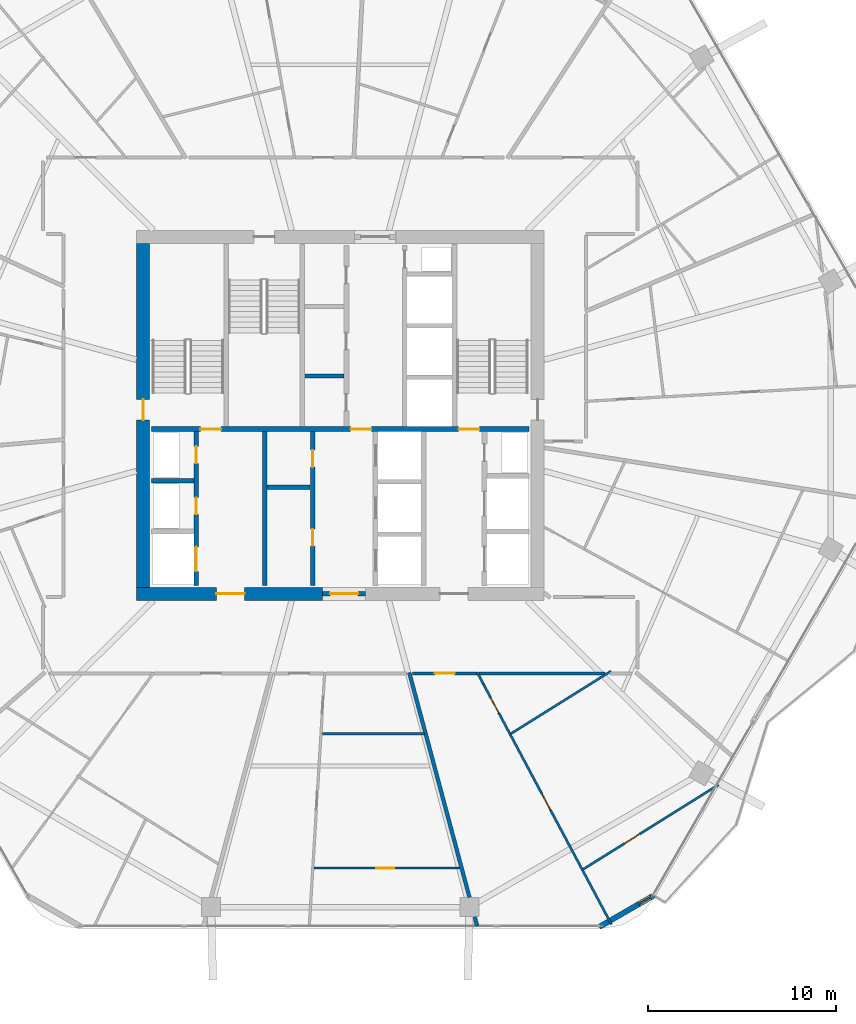
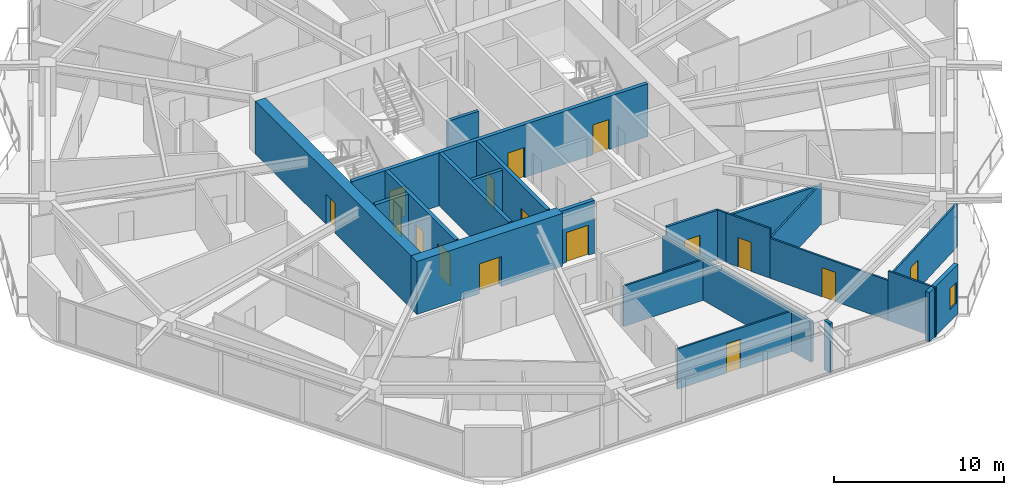
# One storey, part 18 of 26: 23 walls, 16 doors, 1 window, 17 openings.
"""IFC4 building model written with IfcOpenShell, lengths in metres."""

from ifc_helpers import new_model, si_unit, direction, frame, frame_2d, origin, place, context, subcontext, project, spatial, rectangle, extrude, material, layer, layer_set, type_object, element, fill, save


model = new_model("IFC4")

# Units and contexts
model_context = context("Model", 3, precision=1e-05, world=origin(), true_north=direction((0.0, 1.0)))
body_context = subcontext(model_context, "Body", "Model", "MODEL_VIEW")
ifc_project = project(units=[si_unit("LENGTHUNIT", "METRE"), si_unit("AREAUNIT", "SQUARE_METRE"), si_unit("VOLUMEUNIT", "CUBIC_METRE"), si_unit("PLANEANGLEUNIT", "RADIAN"), si_unit("MASSUNIT", "GRAM", prefix="KILO")], contexts=[model_context])

# Site, building, storey
site_placement = place(None, origin())
site = spatial("IfcSite", under=ifc_project, at=site_placement, CompositionType="ELEMENT")
building_placement = place(site_placement, origin())
building = spatial("IfcBuilding", under=site, at=building_placement, Name="Zuhravey Tower", CompositionType="ELEMENT")
storey_placement = place(building_placement, frame((0.0, 0.0, 165.60009765625)))
storey = spatial("IfcBuildingStorey", under=building, at=storey_placement, Name="L41", CompositionType="ELEMENT", Elevation=165.60009765625)

# Wall, opening, door
ifc_material_1 = material(Name="Concrete C60/75", Category="concrete")
ifc_layer_1 = layer(ifc_material_1, 0.699951171875)
ifc_layer_set_1 = layer_set([ifc_layer_1], Name="Concrete C60/75")
wall_type_1 = type_object("IfcWallType", Name="Core Shear Wall 700", PredefinedType="SHEAR", material=ifc_layer_set_1)
wall_1_placement = place(storey_placement, frame((25.14990234375, 22.5, 0.0), z_axis=(0.0, 0.0, 1.0), x_axis=(1.0, 0.0, 0.0)))
wall_1 = element("IfcWall", 1, at=wall_1_placement, inside=storey, type_object=wall_type_1, Name="L41 South-West Core Shear Wall CW70", PredefinedType="SHEAR", context=body_context, shape_type="SweptSolid", body=[
    extrude(rectangle(XDim=9.900146484375, YDim=0.699951171875, at=frame_2d((4.9501953125, 0.0))), origin(), (0.0, 0.0, 1.0), 3.7998046875),
])
opening_1_placement = place(wall_1_placement, frame((4.25, 0.0, 0.0)))
opening_1 = element("IfcOpeningElement", 2, at=opening_1_placement, cuts=wall_1, Name="Opening FFD1", PredefinedType="OPENING", context=body_context, shape_type="SweptSolid", body=[
    extrude(rectangle(XDim=1.5, YDim=2.14990234375, at=frame_2d((0.75, 1.074951171875))), frame((0.0, 0.362060546875, 0.0), z_axis=(0.0, -1.0, 0.0), x_axis=(1.0, 0.0, 0.0)), (0.0, 0.0, 1.0), 0.723876953125),
])
ifc_material_2 = material(Name="Galvanised fire-rated steel leaf", Category="steel")
door_type_1 = type_object("IfcDoorType", Name="Firefighting Lobby Double Door 1500x2150", OperationType="DOUBLE_DOOR_SINGLE_SWING", PredefinedType="DOOR", material=ifc_material_2)
door_1_placement = place(opening_1_placement, origin())
door_1 = element("IfcDoor", 3, at=door_1_placement, inside=storey, type_object=door_type_1, Name="L41 Firefighting Lobby West Door", OperationType="DOUBLE_DOOR_SINGLE_SWING", OverallHeight=2.14990234375, OverallWidth=1.5, PredefinedType="DOOR", context=body_context, shape_type="SweptSolid", body=[
    extrude(rectangle(XDim=1.5, YDim=2.14990234375, at=frame_2d((0.75, 1.074951171875))), frame((0.0, 0.02490234375, 0.0), z_axis=(0.0, -1.0, 0.0), x_axis=(1.0, 0.0, 0.0)), (0.0, 0.0, 1.0), 0.050048828125),
])
fill(opening_1, door_1)

wall_2_placement = place(storey_placement, frame((25.5, 22.85009765625, 0.0), z_axis=(0.0, 0.0, 1.0), x_axis=(0.0, 1.0, 0.0)))
wall_2 = element("IfcWall", 4, at=wall_2_placement, inside=storey, type_object=wall_type_1, Name="L41 West Core Shear Wall CW70", PredefinedType="SHEAR", context=body_context, shape_type="SweptSolid", body=[
    extrude(rectangle(XDim=18.2998046875, YDim=0.699951171875, at=frame_2d((9.14990234375, 0.0))), origin(), (0.0, 0.0, 1.0), 3.7998046875),
])
opening_2_placement = place(wall_2_placement, frame((8.89990234375, 0.0, 0.0)))
opening_2 = element("IfcOpeningElement", 5, at=opening_2_placement, cuts=wall_2, Name="Opening STD1", PredefinedType="OPENING", context=body_context, shape_type="SweptSolid", body=[
    extrude(rectangle(XDim=1.10009765625, YDim=2.14990234375, at=frame_2d((0.550048828125, 1.074951171875))), frame((0.0, 0.362060546875, 0.0), z_axis=(0.0, -1.0, 0.0), x_axis=(1.0, 0.0, 0.0)), (0.0, 0.0, 1.0), 0.723876953125),
])
door_type_2 = type_object("IfcDoorType", Name="Protected Stair Fire Door 1100x2150", OperationType="NOTDEFINED", PredefinedType="USERDEFINED", material=ifc_material_2)
door_2_placement = place(opening_2_placement, frame((1.10009765625, 0.0, 0.0), z_axis=(0.0, 0.0, 1.0), x_axis=(-1.0, 0.0, 0.0)))
door_2 = element("IfcDoor", 6, at=door_2_placement, inside=storey, type_object=door_type_2, Name="L41 Stair ST1 Door", ObjectType="EXITDOOR", OperationType="SINGLE_SWING_RIGHT", OverallHeight=2.14990234375, OverallWidth=1.10009765625, PredefinedType="USERDEFINED", context=body_context, shape_type="SweptSolid", body=[
    extrude(rectangle(XDim=1.10009765625, YDim=2.14990234375, at=frame_2d((0.550048828125, 1.074951171875))), frame((0.0, 0.02490234375, 0.0), z_axis=(0.0, -1.0, 0.0), x_axis=(1.0, 0.0, 0.0)), (0.0, 0.0, 1.0), 0.050048828125),
])
fill(opening_2, door_2)

ifc_material_3 = material(Name="Gypsum fire-rated stud partition")
ifc_layer_2 = layer(ifc_material_3, 0.159912109375)
ifc_layer_set_2 = layer_set([ifc_layer_2], Name="Gypsum fire-rated stud partition")
wall_type_2 = type_object("IfcWallType", Name="Corridor Fire Partition 160", PredefinedType="PARTITIONING", material=ifc_layer_set_2)
wall_3_placement = place(storey_placement, frame((39.828369140625, 18.27001953125, 0.0), z_axis=(0.0, 0.0, 1.0), x_axis=(1.0, 0.0, 0.0)))
wall_3 = element("IfcWall", 7, at=wall_3_placement, inside=storey, type_object=wall_type_2, Name="L41 IW16 Partition 058", PredefinedType="PARTITIONING", context=body_context, shape_type="SweptSolid", body=[
    extrude(rectangle(XDim=3.461669921875, YDim=0.159912109375, at=frame_2d((1.73095703125, 0.0))), origin(), (0.0, 0.0, 1.0), 3.5498046875),
])
opening_3_placement = place(wall_3_placement, frame((1.205810546875, 0.0, 0.0)))
opening_3 = element("IfcOpeningElement", 8, at=opening_3_placement, cuts=wall_3, Name="Opening APD1", PredefinedType="OPENING", context=body_context, shape_type="SweptSolid", body=[
    extrude(rectangle(XDim=1.050048828125, YDim=2.14990234375, at=frame_2d((0.52490234375, 1.074951171875))), frame((0.0, 0.092041015625, 0.0), z_axis=(0.0, -1.0, 0.0), x_axis=(1.0, 0.0, 0.0)), (0.0, 0.0, 1.0), 0.183837890625),
])
ifc_material_4 = material(Name="Solid-core oak fire-rated leaf")
door_type_3 = type_object("IfcDoorType", Name="Apartment Entrance Fire Door 1050x2150", OperationType="NOTDEFINED", PredefinedType="DOOR", material=ifc_material_4)
door_3_placement = place(opening_3_placement, frame((1.050048828125, 0.0, 0.0), z_axis=(0.0, 0.0, 1.0), x_axis=(-1.0, 0.0, 0.0)))
door_3 = element("IfcDoor", 9, at=door_3_placement, inside=storey, type_object=door_type_3, Name="L41 Door 058.1", OperationType="SINGLE_SWING_LEFT", OverallHeight=2.14990234375, OverallWidth=1.050048828125, PredefinedType="DOOR", context=body_context, shape_type="SweptSolid", body=[
    extrude(rectangle(XDim=1.050048828125, YDim=2.14990234375, at=frame_2d((0.52490234375, 1.074951171875))), frame((0.0, 0.02490234375, 0.0), z_axis=(0.0, -1.0, 0.0), x_axis=(1.0, 0.0, 0.0)), (0.0, 0.0, 1.0), 0.050048828125),
])
fill(opening_3, door_3)

# Wall
wall_4_placement = place(storey_placement, frame((43.3896484375, 18.27001953125, 0.0), z_axis=(0.0, 0.0, 1.0), x_axis=(1.0, 0.0, 0.0)))
element("IfcWall", 10, at=wall_4_placement, inside=storey, type_object=wall_type_2, Name="L41 IW16 Partition 139", PredefinedType="PARTITIONING", context=body_context, shape_type="SweptSolid", body=[
    extrude(rectangle(XDim=6.7001953125, YDim=0.159912109375, at=frame_2d((3.35009765625, 0.0))), origin(), (0.0, 0.0, 1.0), 2.89990234375),
])

# Wall, opening, window
ifc_material_5 = material(Name="Precast concrete C40/50", Category="concrete")
ifc_layer_3 = layer(ifc_material_5, 0.280029296875)
ifc_layer_set_3 = layer_set([ifc_layer_3], Name="Precast concrete C40/50")
wall_type_3 = type_object("IfcWallType", Name="Crown Architectural Wall 280", PredefinedType="SOLIDWALL", material=ifc_layer_set_3)
wall_5_placement = place(storey_placement, frame((52.693115234375, 6.451904296875, 0.0), z_axis=(0.0, 0.0, 1.0), x_axis=(-0.866020068361, -0.500009241111, 0.0)))
wall_5 = element("IfcWall", 11, at=wall_5_placement, inside=storey, type_object=wall_type_3, Name="L41 Rounded Corner Closure Wall EW28-02", PredefinedType="SOLIDWALL", context=body_context, shape_type="SweptSolid", body=[
    extrude(rectangle(XDim=3.365234375, YDim=0.280029296875, at=frame_2d((1.6826171875, 0.0))), origin(), (0.0, 0.0, 1.0), 3.5498046875),
])
opening_4_placement = place(wall_5_placement, frame((0.17919921875, 0.0, 0.85009765625)))
opening_4 = element("IfcOpeningElement", 12, at=opening_4_placement, cuts=wall_5, Name="Opening WN5", PredefinedType="OPENING", context=body_context, shape_type="SweptSolid", body=[
    extrude(rectangle(XDim=0.75, YDim=1.5, at=frame_2d((0.375, 0.75))), frame((0.0, 0.152099609375, 0.0), z_axis=(0.0, -1.0, 0.0), x_axis=(1.0, 0.0, 0.0)), (0.0, 0.0, 1.0), 0.303955078125),
])
ifc_material_6 = material(Name="Thermally broken aluminium and triple low-E glass", Category="aluminium")
window_type = type_object("IfcWindowType", Name="Residential Corner Casement Window 750x1500", PartitioningType="SINGLE_PANEL", PredefinedType="WINDOW", material=ifc_material_6)
window_placement = place(opening_4_placement, origin())
window = element("IfcWindow", 13, at=window_placement, inside=storey, type_object=window_type, Name="L41 Corner Casement Window WN5-02.1", OverallHeight=1.5, OverallWidth=0.75, PartitioningType="SINGLE_PANEL", PredefinedType="WINDOW", context=body_context, shape_type="SweptSolid", body=[
    extrude(rectangle(XDim=0.75, YDim=1.5, at=frame_2d((0.375, 0.75))), frame((0.0, 0.030029296875, 0.0), z_axis=(0.0, -1.0, 0.0), x_axis=(1.0, 0.0, 0.0)), (0.0, 0.0, 1.0), 0.06005859375),
])
fill(opening_4, window)

# Wall, opening, door
ifc_material_7 = material(Name="Concrete C50/60", Category="concrete")
ifc_layer_4 = layer(ifc_material_7, 0.25)
ifc_layer_set_4 = layer_set([ifc_layer_4], Name="Concrete C50/60")
wall_type_4 = type_object("IfcWallType", Name="Firefighting Shaft & Stair Wall 250", PredefinedType="SOLIDWALL", material=ifc_layer_set_4)
wall_6_placement = place(storey_placement, frame((35.06005859375, 22.5, 0.0), z_axis=(0.0, 0.0, 1.0), x_axis=(1.0, 0.0, 0.0)))
wall_6 = element("IfcWall", 14, at=wall_6_placement, inside=storey, type_object=wall_type_4, Name="L41 FW25 Shaft Wall 001", PredefinedType="SOLIDWALL", context=body_context, shape_type="SweptSolid", body=[
    extrude(rectangle(XDim=2.280029296875, YDim=0.25, at=frame_2d((1.14013671875, 0.0))), origin(), (0.0, 0.0, 1.0), 3.7998046875),
])
opening_5_placement = place(wall_6_placement, frame((0.389892578125, 0.0, 0.0)))
opening_5 = element("IfcOpeningElement", 15, at=opening_5_placement, cuts=wall_6, Name="Opening FFD1", PredefinedType="OPENING", context=body_context, shape_type="SweptSolid", body=[
    extrude(rectangle(XDim=1.5, YDim=2.14990234375, at=frame_2d((0.75, 1.074951171875))), frame((0.0, 0.136962890625, 0.0), z_axis=(0.0, -1.0, 0.0), x_axis=(1.0, 0.0, 0.0)), (0.0, 0.0, 1.0), 0.27392578125),
])
door_4_placement = place(opening_5_placement, frame((1.5, 0.0, 0.0), z_axis=(0.0, 0.0, 1.0), x_axis=(-1.0, 0.0, 0.0)))
door_4 = element("IfcDoor", 16, at=door_4_placement, inside=storey, type_object=door_type_1, Name="L41 South Lift Lobby Exit Door", OperationType="DOUBLE_DOOR_SINGLE_SWING", OverallHeight=2.14990234375, OverallWidth=1.5, PredefinedType="DOOR", context=body_context, shape_type="SweptSolid", body=[
    extrude(rectangle(XDim=1.5, YDim=2.14990234375, at=frame_2d((0.75, 1.074951171875))), frame((0.0, 0.02490234375, 0.0), z_axis=(0.0, -1.0, 0.0), x_axis=(1.0, 0.0, 0.0)), (0.0, 0.0, 1.0), 0.050048828125),
])
fill(opening_5, door_4)

# Wall, openings, doors
wall_7_placement = place(storey_placement, frame((25.949951171875, 31.27490234375, 0.0), z_axis=(0.0, 0.0, 1.0), x_axis=(1.0, 0.0, 0.0)))
wall_7 = element("IfcWall", 17, at=wall_7_placement, inside=storey, type_object=wall_type_4, Name="L41 FW25 Shaft Wall 003", PredefinedType="SOLIDWALL", context=body_context, shape_type="SweptSolid", body=[
    extrude(rectangle(XDim=20.10009765625, YDim=0.25, at=frame_2d((10.050048828125, 0.0))), origin(), (0.0, 0.0, 1.0), 3.7998046875),
])
opening_6_placement = place(wall_7_placement, frame((2.60009765625, 0.0, 0.0)))
opening_6 = element("IfcOpeningElement", 18, at=opening_6_placement, cuts=wall_7, Name="Opening STD1", PredefinedType="OPENING", context=body_context, shape_type="SweptSolid", body=[
    extrude(rectangle(XDim=1.10009765625, YDim=2.14990234375, at=frame_2d((0.550048828125, 1.074951171875))), frame((0.0, 0.136962890625, 0.0), z_axis=(0.0, -1.0, 0.0), x_axis=(1.0, 0.0, 0.0)), (0.0, 0.0, 1.0), 0.27392578125),
])
opening_7_placement = place(wall_7_placement, frame((10.60009765625, 0.0, 0.0)))
opening_7 = element("IfcOpeningElement", 19, at=opening_7_placement, cuts=wall_7, Name="Opening STD1", PredefinedType="OPENING", context=body_context, shape_type="SweptSolid", body=[
    extrude(rectangle(XDim=1.10009765625, YDim=2.14990234375, at=frame_2d((0.550048828125, 1.074951171875))), frame((0.0, 0.136962890625, 0.0), z_axis=(0.0, -1.0, 0.0), x_axis=(1.0, 0.0, 0.0)), (0.0, 0.0, 1.0), 0.27392578125),
])
opening_8_placement = place(wall_7_placement, frame((16.35009765625, 0.0, 0.0)))
opening_8 = element("IfcOpeningElement", 20, at=opening_8_placement, cuts=wall_7, Name="Opening STD1", PredefinedType="OPENING", context=body_context, shape_type="SweptSolid", body=[
    extrude(rectangle(XDim=1.10009765625, YDim=2.14990234375, at=frame_2d((0.550048828125, 1.074951171875))), frame((0.0, 0.136962890625, 0.0), z_axis=(0.0, -1.0, 0.0), x_axis=(1.0, 0.0, 0.0)), (0.0, 0.0, 1.0), 0.27392578125),
])
door_5_placement = place(opening_6_placement, origin())
door_5 = element("IfcDoor", 21, at=door_5_placement, inside=storey, type_object=door_type_2, Name="L41 FFL-W to ST1 Door", ObjectType="EXITDOOR", OperationType="SINGLE_SWING_LEFT", OverallHeight=2.14990234375, OverallWidth=1.10009765625, PredefinedType="USERDEFINED", context=body_context, shape_type="SweptSolid", body=[
    extrude(rectangle(XDim=1.10009765625, YDim=2.14990234375, at=frame_2d((0.550048828125, 1.074951171875))), frame((0.0, 0.02490234375, 0.0), z_axis=(0.0, -1.0, 0.0), x_axis=(1.0, 0.0, 0.0)), (0.0, 0.0, 1.0), 0.050048828125),
])
fill(opening_6, door_5)
door_6_placement = place(opening_7_placement, origin())
door_6 = element("IfcDoor", 22, at=door_6_placement, inside=storey, type_object=door_type_2, Name="L41 Core Lobby Link Door", ObjectType="EXITDOOR", OperationType="SINGLE_SWING_RIGHT", OverallHeight=2.14990234375, OverallWidth=1.10009765625, PredefinedType="USERDEFINED", context=body_context, shape_type="SweptSolid", body=[
    extrude(rectangle(XDim=1.10009765625, YDim=2.14990234375, at=frame_2d((0.550048828125, 1.074951171875))), frame((0.0, 0.02490234375, 0.0), z_axis=(0.0, -1.0, 0.0), x_axis=(1.0, 0.0, 0.0)), (0.0, 0.0, 1.0), 0.050048828125),
])
fill(opening_7, door_6)
door_7_placement = place(opening_8_placement, origin())
door_7 = element("IfcDoor", 23, at=door_7_placement, inside=storey, type_object=door_type_2, Name="L41 FFL-E to ST2 Door", ObjectType="EXITDOOR", OperationType="SINGLE_SWING_LEFT", OverallHeight=2.14990234375, OverallWidth=1.10009765625, PredefinedType="USERDEFINED", context=body_context, shape_type="SweptSolid", body=[
    extrude(rectangle(XDim=1.10009765625, YDim=2.14990234375, at=frame_2d((0.550048828125, 1.074951171875))), frame((0.0, 0.02490234375, 0.0), z_axis=(0.0, -1.0, 0.0), x_axis=(1.0, 0.0, 0.0)), (0.0, 0.0, 1.0), 0.050048828125),
])
fill(opening_8, door_7)

# Wall
wall_8_placement = place(storey_placement, frame((25.949951171875, 28.52490234375, 0.0), z_axis=(0.0, 0.0, 1.0), x_axis=(1.0, 0.0, 0.0)))
element("IfcWall", 24, at=wall_8_placement, inside=storey, type_object=wall_type_4, Name="L41 FW25 Shaft Wall 010", PredefinedType="SOLIDWALL", context=body_context, shape_type="SweptSolid", body=[
    extrude(rectangle(XDim=2.25, YDim=0.25, at=frame_2d((1.125, 0.0))), origin(), (0.0, 0.0, 1.0), 3.7998046875),
])

# Wall, openings, doors
wall_9_placement = place(storey_placement, frame((28.324951171875, 22.949951171875, 0.0), z_axis=(0.0, 0.0, 1.0), x_axis=(0.0, 1.0, 0.0)))
wall_9 = element("IfcWall", 25, at=wall_9_placement, inside=storey, type_object=wall_type_4, Name="L41 FW25 Shaft Wall 011", PredefinedType="SOLIDWALL", context=body_context, shape_type="SweptSolid", body=[
    extrude(rectangle(XDim=8.199951171875, YDim=0.25, at=frame_2d((4.10009765625, 0.0))), origin(), (0.0, 0.0, 1.0), 3.7998046875),
])
opening_9_placement = place(wall_9_placement, frame((0.75, 0.0, 0.0)))
opening_9 = element("IfcOpeningElement", 26, at=opening_9_placement, cuts=wall_9, Name="Opening LD2", PredefinedType="OPENING", context=body_context, shape_type="SweptSolid", body=[
    extrude(rectangle(XDim=1.300048828125, YDim=2.300048828125, at=frame_2d((0.64990234375, 1.14990234375))), frame((0.0, 0.136962890625, 0.0), z_axis=(0.0, -1.0, 0.0), x_axis=(1.0, 0.0, 0.0)), (0.0, 0.0, 1.0), 0.27392578125),
])
opening_10_placement = place(wall_9_placement, frame((3.780029296875, 0.0, 0.0)))
opening_10 = element("IfcOpeningElement", 27, at=opening_10_placement, cuts=wall_9, Name="Opening RSD1", PredefinedType="OPENING", context=body_context, shape_type="SweptSolid", body=[
    extrude(rectangle(XDim=0.89990234375, YDim=2.10009765625, at=frame_2d((0.449951171875, 1.050048828125))), frame((0.0, 0.136962890625, 0.0), z_axis=(0.0, -1.0, 0.0), x_axis=(1.0, 0.0, 0.0)), (0.0, 0.0, 1.0), 0.27392578125),
])
opening_11_placement = place(wall_9_placement, frame((6.5, 0.0, 0.0)))
opening_11 = element("IfcOpeningElement", 28, at=opening_11_placement, cuts=wall_9, Name="Opening RSD1", PredefinedType="OPENING", context=body_context, shape_type="SweptSolid", body=[
    extrude(rectangle(XDim=0.89990234375, YDim=2.10009765625, at=frame_2d((0.449951171875, 1.050048828125))), frame((0.0, 0.136962890625, 0.0), z_axis=(0.0, -1.0, 0.0), x_axis=(1.0, 0.0, 0.0)), (0.0, 0.0, 1.0), 0.27392578125),
])
ifc_material_8 = material(Name="Brushed stainless steel", Category="steel")
door_type_4 = type_object("IfcDoorType", Name="Freight & Stretcher Lift Sliding Door 1300x2300", OperationType="DOUBLE_DOOR_SLIDING", PredefinedType="DOOR", material=ifc_material_8)
door_8_placement = place(opening_9_placement, frame((1.300048828125, 0.0, 0.0), z_axis=(0.0, 0.0, 1.0), x_axis=(-1.0, 0.0, 0.0)))
door_8 = element("IfcDoor", 29, at=door_8_placement, inside=storey, type_object=door_type_4, Name="L41 Lift FF1 Landing Door", OperationType="DOUBLE_DOOR_SLIDING", OverallHeight=2.300048828125, OverallWidth=1.300048828125, PredefinedType="DOOR", context=body_context, shape_type="SweptSolid", body=[
    extrude(rectangle(XDim=1.300048828125, YDim=2.300048828125, at=frame_2d((0.64990234375, 1.14990234375))), frame((0.0, 0.02490234375, 0.0), z_axis=(0.0, -1.0, 0.0), x_axis=(1.0, 0.0, 0.0)), (0.0, 0.0, 1.0), 0.050048828125),
])
fill(opening_9, door_8)
ifc_material_9 = material(Name="Galvanised fire-rated steel access leaf", Category="steel")
door_type_5 = type_object("IfcDoorType", Name="Riser & Shaft Access Fire Door 900x2100", OperationType="NOTDEFINED", PredefinedType="DOOR", material=ifc_material_9)
door_9_placement = place(opening_10_placement, frame((0.89990234375, 0.0, 0.0), z_axis=(0.0, 0.0, 1.0), x_axis=(-1.0, 0.0, 0.0)))
door_9 = element("IfcDoor", 30, at=door_9_placement, inside=storey, type_object=door_type_5, Name="L41 Electrical Riser Door", OperationType="SINGLE_SWING_RIGHT", OverallHeight=2.10009765625, OverallWidth=0.89990234375, PredefinedType="DOOR", context=body_context, shape_type="SweptSolid", body=[
    extrude(rectangle(XDim=0.89990234375, YDim=2.10009765625, at=frame_2d((0.449951171875, 1.050048828125))), frame((0.0, 0.02490234375, 0.0), z_axis=(0.0, -1.0, 0.0), x_axis=(1.0, 0.0, 0.0)), (0.0, 0.0, 1.0), 0.050048828125),
])
fill(opening_10, door_9)
door_10_placement = place(opening_11_placement, frame((0.89990234375, 0.0, 0.0), z_axis=(0.0, 0.0, 1.0), x_axis=(-1.0, 0.0, 0.0)))
door_10 = element("IfcDoor", 31, at=door_10_placement, inside=storey, type_object=door_type_5, Name="L41 Smoke Shaft Access Door", OperationType="SINGLE_SWING_LEFT", OverallHeight=2.10009765625, OverallWidth=0.89990234375, PredefinedType="DOOR", context=body_context, shape_type="SweptSolid", body=[
    extrude(rectangle(XDim=0.89990234375, YDim=2.10009765625, at=frame_2d((0.449951171875, 1.050048828125))), frame((0.0, 0.02490234375, 0.0), z_axis=(0.0, -1.0, 0.0), x_axis=(1.0, 0.0, 0.0)), (0.0, 0.0, 1.0), 0.050048828125),
])
fill(opening_11, door_10)

# Wall
wall_10_placement = place(storey_placement, frame((31.97509765625, 22.949951171875, 0.0), z_axis=(0.0, 0.0, 1.0), x_axis=(0.0, 1.0, 0.0)))
element("IfcWall", 32, at=wall_10_placement, inside=storey, type_object=wall_type_4, Name="L41 FW25 Shaft Wall 012", PredefinedType="SOLIDWALL", context=body_context, shape_type="SweptSolid", body=[
    extrude(rectangle(XDim=8.199951171875, YDim=0.25, at=frame_2d((4.10009765625, 0.0))), origin(), (0.0, 0.0, 1.0), 3.7998046875),
])

# Wall, openings, doors
wall_11_placement = place(storey_placement, frame((34.52490234375, 22.949951171875, 0.0), z_axis=(0.0, 0.0, 1.0), x_axis=(0.0, 1.0, 0.0)))
wall_11 = element("IfcWall", 33, at=wall_11_placement, inside=storey, type_object=wall_type_4, Name="L41 FW25 Shaft Wall 013", PredefinedType="SOLIDWALL", context=body_context, shape_type="SweptSolid", body=[
    extrude(rectangle(XDim=8.199951171875, YDim=0.25, at=frame_2d((4.10009765625, 0.0))), origin(), (0.0, 0.0, 1.0), 3.7998046875),
])
opening_12_placement = place(wall_11_placement, frame((2.10009765625, 0.0, 0.0)))
opening_12 = element("IfcOpeningElement", 34, at=opening_12_placement, cuts=wall_11, Name="Opening RSD1", PredefinedType="OPENING", context=body_context, shape_type="SweptSolid", body=[
    extrude(rectangle(XDim=0.89990234375, YDim=2.10009765625, at=frame_2d((0.449951171875, 1.050048828125))), frame((0.0, 0.136962890625, 0.0), z_axis=(0.0, -1.0, 0.0), x_axis=(1.0, 0.0, 0.0)), (0.0, 0.0, 1.0), 0.27392578125),
])
opening_13_placement = place(wall_11_placement, frame((6.300048828125, 0.0, 0.0)))
opening_13 = element("IfcOpeningElement", 35, at=opening_13_placement, cuts=wall_11, Name="Opening RSD1", PredefinedType="OPENING", context=body_context, shape_type="SweptSolid", body=[
    extrude(rectangle(XDim=0.89990234375, YDim=2.10009765625, at=frame_2d((0.449951171875, 1.050048828125))), frame((0.0, 0.136962890625, 0.0), z_axis=(0.0, -1.0, 0.0), x_axis=(1.0, 0.0, 0.0)), (0.0, 0.0, 1.0), 0.27392578125),
])
door_11_placement = place(opening_12_placement, origin())
door_11 = element("IfcDoor", 36, at=door_11_placement, inside=storey, type_object=door_type_5, Name="L41 Housekeeping Store Door", OperationType="SINGLE_SWING_RIGHT", OverallHeight=2.10009765625, OverallWidth=0.89990234375, PredefinedType="DOOR", context=body_context, shape_type="SweptSolid", body=[
    extrude(rectangle(XDim=0.89990234375, YDim=2.10009765625, at=frame_2d((0.449951171875, 1.050048828125))), frame((0.0, 0.02490234375, 0.0), z_axis=(0.0, -1.0, 0.0), x_axis=(1.0, 0.0, 0.0)), (0.0, 0.0, 1.0), 0.050048828125),
])
fill(opening_12, door_11)
door_12_placement = place(opening_13_placement, origin())
door_12 = element("IfcDoor", 37, at=door_12_placement, inside=storey, type_object=door_type_5, Name="L41 Comms Closet Door", OperationType="SINGLE_SWING_LEFT", OverallHeight=2.10009765625, OverallWidth=0.89990234375, PredefinedType="DOOR", context=body_context, shape_type="SweptSolid", body=[
    extrude(rectangle(XDim=0.89990234375, YDim=2.10009765625, at=frame_2d((0.449951171875, 1.050048828125))), frame((0.0, 0.02490234375, 0.0), z_axis=(0.0, -1.0, 0.0), x_axis=(1.0, 0.0, 0.0)), (0.0, 0.0, 1.0), 0.050048828125),
])
fill(opening_13, door_12)

# Walls
ifc_material_10 = material(Name="Gypsum double-stud party assembly")
ifc_layer_5 = layer(ifc_material_10, 0.199951171875)
ifc_layer_set_5 = layer_set([ifc_layer_5], Name="Gypsum double-stud party assembly")
wall_type_5 = type_object("IfcWallType", Name="Inter-Tenancy Party Wall 200", PredefinedType="PARTITIONING", material=ifc_layer_set_5)
wall_12_placement = place(storey_placement, frame((39.668212890625, 18.31005859375, 0.0), z_axis=(0.0, 0.0, 1.0), x_axis=(0.258823121138, -0.96592473411, 0.0)))
element("IfcWall", 38, at=wall_12_placement, inside=storey, type_object=wall_type_5, Name="L41 IW20 Partition 109", PredefinedType="PARTITIONING", context=body_context, shape_type="SweptSolid", body=[
    extrude(rectangle(XDim=12.38525390625, YDim=0.199951171875, at=frame_2d((6.192626953125, 0.0))), origin(), (0.0, 0.0, 1.0), 2.89990234375),
])
wall_13_placement = place(storey_placement, frame((43.15234375, 5.306884765625, 0.0), z_axis=(0.0, 0.0, 1.0), x_axis=(0.258920510492, -0.965898633008, 0.0)))
element("IfcWall", 39, at=wall_13_placement, inside=storey, type_object=wall_type_5, Name="L41 IW20 Partition 110", PredefinedType="PARTITIONING", context=body_context, shape_type="SweptSolid", body=[
    extrude(rectangle(XDim=0.50732421875, YDim=0.199951171875, at=frame_2d((0.253662109375, 0.0))), origin(), (0.0, 0.0, 1.0), 3.5498046875),
])
ifc_material_11 = material(Name="Gypsum acoustic stud assembly")
ifc_layer_6 = layer(ifc_material_11, 0.219970703125)
ifc_layer_set_6 = layer_set([ifc_layer_6], Name="Gypsum acoustic stud assembly")
wall_type_6 = type_object("IfcWallType", Name="School Acoustic Compartment Wall 220", PredefinedType="PARTITIONING", material=ifc_layer_set_6)
wall_14_placement = place(storey_placement, frame((34.10791015625, 34.10009765625, 0.0), z_axis=(0.0, 0.0, 1.0), x_axis=(1.0, 0.0, 0.0)))
element("IfcWall", 40, at=wall_14_placement, inside=storey, type_object=wall_type_6, Name="L41 IW22 Partition 067", PredefinedType="PARTITIONING", context=body_context, shape_type="SweptSolid", body=[
    extrude(rectangle(XDim=2.083984375, YDim=0.219970703125, at=frame_2d((1.0419921875, 0.0))), origin(), (0.0, 0.0, 1.0), 3.5498046875),
])
wall_15_placement = place(storey_placement, frame((32.10791015625, 28.175048828125, 0.0), z_axis=(0.0, 0.0, 1.0), x_axis=(1.0, 0.0, 0.0)))
element("IfcWall", 41, at=wall_15_placement, inside=storey, type_object=wall_type_6, Name="L41 IW22 Partition 072", PredefinedType="PARTITIONING", context=body_context, shape_type="SweptSolid", body=[
    extrude(rectangle(XDim=2.2841796875, YDim=0.219970703125, at=frame_2d((1.14208984375, 0.0))), origin(), (0.0, 0.0, 1.0), 3.5498046875),
])

# Wall, opening, door
ifc_material_12 = material(Name="Gypsum metal-stud partition")
ifc_layer_7 = layer(ifc_material_12, 0.1201171875)
ifc_layer_set_7 = layer_set([ifc_layer_7], Name="Gypsum metal-stud partition")
wall_type_7 = type_object("IfcWallType", Name="Unit Internal Partition 120", PredefinedType="PARTITIONING", material=ifc_layer_set_7)
wall_16_placement = place(storey_placement, frame((34.602783203125, 7.904296875, 0.0), z_axis=(0.0, 0.0, 1.0), x_axis=(1.0, 0.0, 0.0)))
wall_16 = element("IfcWall", 42, at=wall_16_placement, inside=storey, type_object=wall_type_7, Name="L41 IW12 Partition 053", PredefinedType="PARTITIONING", context=body_context, shape_type="SweptSolid", body=[
    extrude(rectangle(XDim=7.732177734375, YDim=0.1201171875, at=frame_2d((3.8662109375, 0.0))), origin(), (0.0, 0.0, 1.0), 2.89990234375),
])
opening_14_placement = place(wall_16_placement, frame((3.306884765625, 0.0, 0.0)))
opening_14 = element("IfcOpeningElement", 43, at=opening_14_placement, cuts=wall_16, Name="Opening IND1", PredefinedType="OPENING", context=body_context, shape_type="SweptSolid", body=[
    extrude(rectangle(XDim=0.949951171875, YDim=2.10009765625, at=frame_2d((0.47509765625, 1.050048828125))), frame((0.0, 0.072021484375, 0.0), z_axis=(0.0, -1.0, 0.0), x_axis=(1.0, 0.0, 0.0)), (0.0, 0.0, 1.0), 0.14404296875),
])
ifc_material_13 = material(Name="Painted engineered timber leaf", Category="wood")
door_type_6 = type_object("IfcDoorType", Name="Internal Room & Bedroom Door 950x2100", OperationType="NOTDEFINED", PredefinedType="DOOR", material=ifc_material_13)
door_13_placement = place(opening_14_placement, frame((0.949951171875, 0.0, 0.0), z_axis=(0.0, 0.0, 1.0), x_axis=(-1.0, 0.0, 0.0)))
door_13 = element("IfcDoor", 44, at=door_13_placement, inside=storey, type_object=door_type_6, Name="Apartment L41-08 Kitchen Door", OperationType="SINGLE_SWING_RIGHT", OverallHeight=2.10009765625, OverallWidth=0.949951171875, PredefinedType="DOOR", context=body_context, shape_type="SweptSolid", body=[
    extrude(rectangle(XDim=0.949951171875, YDim=2.10009765625, at=frame_2d((0.47509765625, 1.050048828125))), frame((0.0, 0.02490234375, 0.0), z_axis=(0.0, -1.0, 0.0), x_axis=(1.0, 0.0, 0.0)), (0.0, 0.0, 1.0), 0.050048828125),
])
fill(opening_14, door_13)

wall_17_placement = place(storey_placement, frame((43.6162109375, 17.699951171875, 0.0), z_axis=(0.0, 0.0, 1.0), x_axis=(0.470139063633, -0.882592352588, 0.0)))
wall_17 = element("IfcWall", 45, at=wall_17_placement, inside=storey, type_object=wall_type_7, Name="L41 IW12 Partition 055", PredefinedType="PARTITIONING", context=body_context, shape_type="SweptSolid", body=[
    extrude(rectangle(XDim=3.047119140625, YDim=0.1201171875, at=frame_2d((1.5234375, 0.0))), origin(), (0.0, 0.0, 1.0), 3.5498046875),
])
opening_15_placement = place(wall_17_placement, frame((0.829833984375, 0.0, 0.0)))
opening_15 = element("IfcOpeningElement", 46, at=opening_15_placement, cuts=wall_17, Name="Opening WCD1", PredefinedType="OPENING", context=body_context, shape_type="SweptSolid", body=[
    extrude(rectangle(XDim=0.89990234375, YDim=2.10009765625, at=frame_2d((0.449951171875, 1.050048828125))), frame((0.0, 0.072021484375, 0.0), z_axis=(0.0, -1.0, 0.0), x_axis=(1.0, 0.0, 0.0)), (0.0, 0.0, 1.0), 0.14404296875),
])
ifc_material_14 = material(Name="Moisture-resistant timber leaf", Category="wood")
door_type_7 = type_object("IfcDoorType", Name="Bathroom & WC Internal Door 900x2100", OperationType="NOTDEFINED", PredefinedType="DOOR", material=ifc_material_14)
door_14_placement = place(opening_15_placement, origin())
door_14 = element("IfcDoor", 47, at=door_14_placement, inside=storey, type_object=door_type_7, Name="Apartment L41-09 Bathroom Door", OperationType="SINGLE_SWING_RIGHT", OverallHeight=2.10009765625, OverallWidth=0.89990234375, PredefinedType="DOOR", context=body_context, shape_type="SweptSolid", body=[
    extrude(rectangle(XDim=0.89990234375, YDim=2.10009765625, at=frame_2d((0.449951171875, 1.050048828125))), frame((0.0, 0.02490234375, 0.0), z_axis=(0.0, -1.0, 0.0), x_axis=(1.0, 0.0, 0.0)), (0.0, 0.0, 1.0), 0.050048828125),
])
fill(opening_15, door_14)

wall_18_placement = place(storey_placement, frame((45.048828125, 15.010498046875, 0.0), z_axis=(0.0, 0.0, 1.0), x_axis=(0.470090976648, -0.882617965869, 0.0)))
wall_18 = element("IfcWall", 48, at=wall_18_placement, inside=storey, type_object=wall_type_7, Name="L41 IW12 Partition 056", PredefinedType="PARTITIONING", context=body_context, shape_type="SweptSolid", body=[
    extrude(rectangle(XDim=8.181396484375, YDim=0.1201171875, at=frame_2d((4.0908203125, 0.0))), origin(), (0.0, 0.0, 1.0), 2.869873046875),
])
opening_16_placement = place(wall_18_placement, frame((3.590576171875, 0.0, 0.0)))
opening_16 = element("IfcOpeningElement", 49, at=opening_16_placement, cuts=wall_18, Name="Opening IND1", PredefinedType="OPENING", context=body_context, shape_type="SweptSolid", body=[
    extrude(rectangle(XDim=0.949951171875, YDim=2.10009765625, at=frame_2d((0.47509765625, 1.050048828125))), frame((0.0, 0.072021484375, 0.0), z_axis=(0.0, -1.0, 0.0), x_axis=(1.0, 0.0, 0.0)), (0.0, 0.0, 1.0), 0.14404296875),
])
door_15_placement = place(opening_16_placement, origin())
door_15 = element("IfcDoor", 50, at=door_15_placement, inside=storey, type_object=door_type_6, Name="Apartment L41-09 Home Office Door", OperationType="SINGLE_SWING_LEFT", OverallHeight=2.10009765625, OverallWidth=0.949951171875, PredefinedType="DOOR", context=body_context, shape_type="SweptSolid", body=[
    extrude(rectangle(XDim=0.949951171875, YDim=2.10009765625, at=frame_2d((0.47509765625, 1.050048828125))), frame((0.0, 0.02490234375, 0.0), z_axis=(0.0, -1.0, 0.0), x_axis=(1.0, 0.0, 0.0)), (0.0, 0.0, 1.0), 0.050048828125),
])
fill(opening_16, door_15)

wall_19_placement = place(storey_placement, frame((48.94091796875, 7.84765625, 0.0), z_axis=(0.0, 0.0, 1.0), x_axis=(0.848033897141, 0.529941986731, 0.0)))
wall_19 = element("IfcWall", 51, at=wall_19_placement, inside=storey, type_object=wall_type_7, Name="L41 IW12 Partition 057", PredefinedType="PARTITIONING", context=body_context, shape_type="SweptSolid", body=[
    extrude(rectangle(XDim=8.477294921875, YDim=0.1201171875, at=frame_2d((4.23876953125, 0.0))), origin(), (0.0, 0.0, 1.0), 3.121826171875),
])
opening_17_placement = place(wall_19_placement, frame((2.579345703125, 0.0, 0.0)))
opening_17 = element("IfcOpeningElement", 52, at=opening_17_placement, cuts=wall_19, Name="Opening IND1", PredefinedType="OPENING", context=body_context, shape_type="SweptSolid", body=[
    extrude(rectangle(XDim=0.949951171875, YDim=2.10009765625, at=frame_2d((0.47509765625, 1.050048828125))), frame((0.0, 0.072021484375, 0.0), z_axis=(0.0, -1.0, 0.0), x_axis=(1.0, 0.0, 0.0)), (0.0, 0.0, 1.0), 0.14404296875),
])
door_16_placement = place(opening_17_placement, frame((0.949951171875, 0.0, 0.0), z_axis=(0.0, 0.0, 1.0), x_axis=(-1.0, 0.0, 0.0)))
door_16 = element("IfcDoor", 53, at=door_16_placement, inside=storey, type_object=door_type_6, Name="Apartment L41-09 Bedroom 1 Door", OperationType="SINGLE_SWING_RIGHT", OverallHeight=2.10009765625, OverallWidth=0.949951171875, PredefinedType="DOOR", context=body_context, shape_type="SweptSolid", body=[
    extrude(rectangle(XDim=0.949951171875, YDim=2.10009765625, at=frame_2d((0.47509765625, 1.050048828125))), frame((0.0, 0.02490234375, 0.0), z_axis=(0.0, -1.0, 0.0), x_axis=(1.0, 0.0, 0.0)), (0.0, 0.0, 1.0), 0.050048828125),
])
fill(opening_17, door_16)

# Walls
wall_20_placement = place(storey_placement, frame((35.0380859375, 15.061279296875, 0.0), z_axis=(0.0, 0.0, 1.0), x_axis=(1.0, 0.0, 0.0)))
element("IfcWall", 54, at=wall_20_placement, inside=storey, type_object=wall_type_7, Name="L41 IW12 Partition 108", PredefinedType="PARTITIONING", context=body_context, shape_type="SweptSolid", body=[
    extrude(rectangle(XDim=5.44580078125, YDim=0.1201171875, at=frame_2d((2.722900390625, 0.0))), origin(), (0.0, 0.0, 1.0), 2.89990234375),
])
wall_21_placement = place(storey_placement, frame((43.290283203125, 18.31201171875, 0.0), z_axis=(0.0, 0.0, 1.0), x_axis=(0.470021649014, -0.882654886951, 0.0)))
element("IfcWall", 55, at=wall_21_placement, inside=storey, type_object=wall_type_7, Name="L41 IW12 Partition 111", PredefinedType="PARTITIONING", context=body_context, shape_type="SweptSolid", body=[
    extrude(rectangle(XDim=0.693359375, YDim=0.1201171875, at=frame_2d((0.3466796875, 0.0))), origin(), (0.0, 0.0, 1.0), 3.5498046875),
])
wall_22_placement = place(storey_placement, frame((48.894775390625, 7.78955078125, 0.0), z_axis=(0.0, 0.0, 1.0), x_axis=(0.47009528372, -0.882615671867, 0.0)))
element("IfcWall", 56, at=wall_22_placement, inside=storey, type_object=wall_type_7, Name="L41 IW12 Partition 112", PredefinedType="PARTITIONING", context=body_context, shape_type="SweptSolid", body=[
    extrude(rectangle(XDim=3.26513671875, YDim=0.1201171875, at=frame_2d((1.632568359375, 0.0))), origin(), (0.0, 0.0, 1.0), 3.5498046875),
])
wall_23_placement = place(storey_placement, frame((45.094970703125, 15.068603515625, 0.0), z_axis=(0.0, 0.0, 1.0), x_axis=(0.84804863288, 0.529918405296, 0.0)))
element("IfcWall", 57, at=wall_23_placement, inside=storey, type_object=wall_type_7, Name="L41 IW12 Partition 113", PredefinedType="PARTITIONING", context=body_context, shape_type="SweptSolid", body=[
    extrude(rectangle(XDim=6.267578125, YDim=0.1201171875, at=frame_2d((3.1337890625, 0.0))), origin(), (0.0, 0.0, 1.0), 2.89990234375),
])

save(model, "model.ifc")
